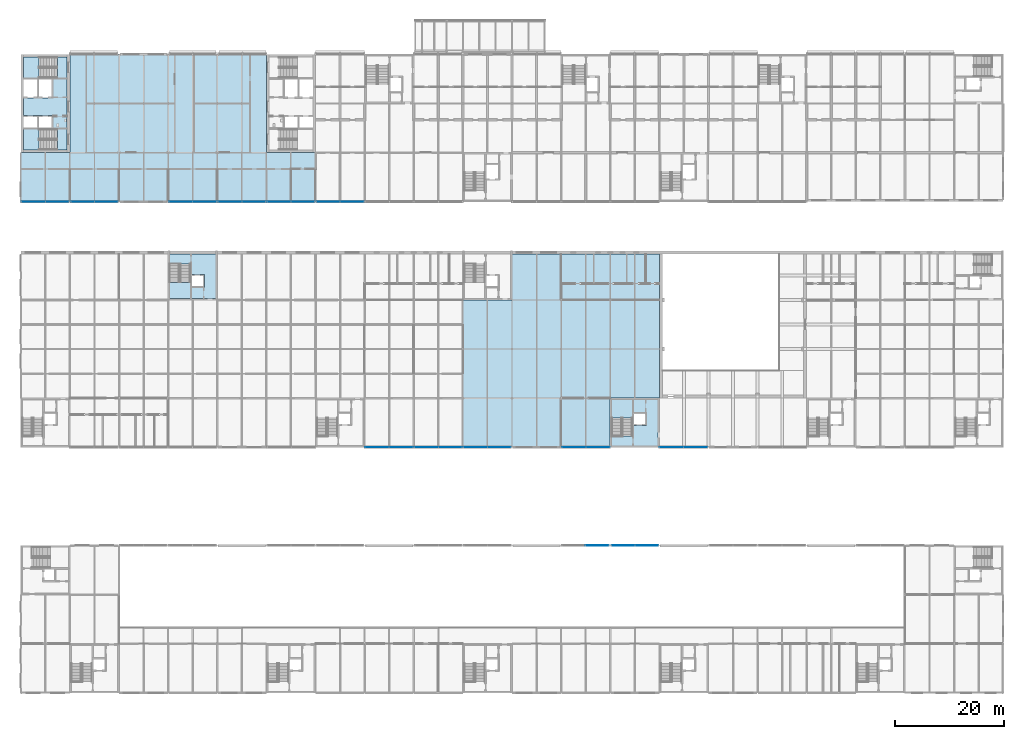
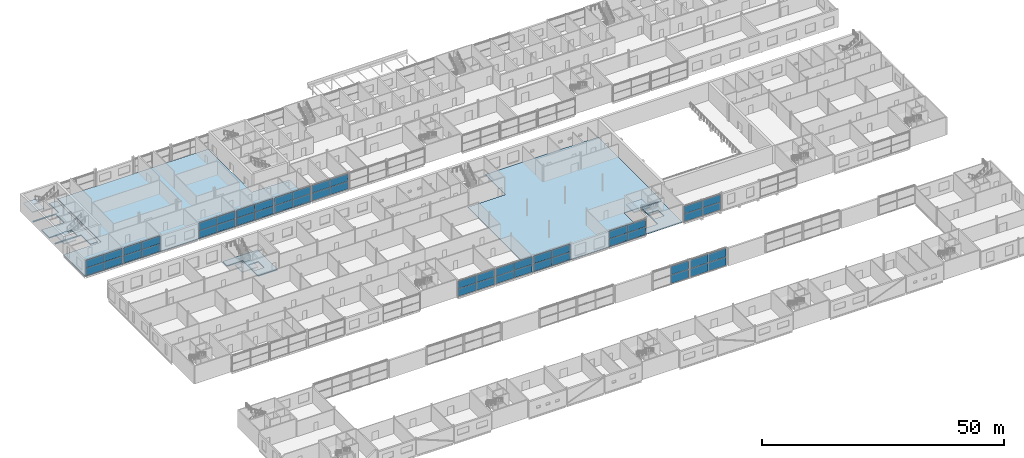
# One storey, part 61 of 97: 50 plates, 9 slabs, 17 elements without a shape of their own.
"""IFC4 building model written with IfcOpenShell, lengths in metres."""

from ifc_helpers import new_model, si_unit, direction, frame, origin, origin_2d, place, context, subcontext, project, spatial, polyline, rectangle, outline, extrude, material, layer, layer_set, type_object, element, aggregate, save


model = new_model("IFC4")

# Units and contexts
model_context = context("Model", 3, precision=1e-05, world=origin(), true_north=direction((0.0, 1.0)))
body_context = subcontext(model_context, "Body", "Model", "MODEL_VIEW")
ifc_project = project(units=[si_unit("LENGTHUNIT", "METRE"), si_unit("AREAUNIT", "SQUARE_METRE"), si_unit("VOLUMEUNIT", "CUBIC_METRE"), si_unit("PLANEANGLEUNIT", "RADIAN"), si_unit("MASSUNIT", "GRAM", prefix="KILO")], contexts=[model_context])

# Site, building, storey
site_placement = place(None, origin())
site = spatial("IfcSite", under=ifc_project, at=site_placement, CompositionType="ELEMENT")
building_placement = place(site_placement, origin())
building = spatial("IfcBuilding", under=site, at=building_placement, Name="Corbel Yard City Hall", CompositionType="ELEMENT")
storey_placement = place(building_placement, frame((0.0, 0.0, 6.0)))
storey = spatial("IfcBuildingStorey", under=building, at=storey_placement, Name="L01", CompositionType="ELEMENT", Elevation=6.0)

# Slabs
ifc_material_1 = material(Name="Concrete N40 (40 MPa)", Category="concrete")
ifc_layer_1 = layer(ifc_material_1, 0.25)
ifc_layer_set_1 = layer_set([ifc_layer_1], Name="Concrete N40 (40 MPa)")
slab_type_1 = type_object("IfcSlabType", Name="CF1", PredefinedType="FLOOR", material=ifc_layer_set_1)
slab_1_placement = place(storey_placement, frame((0.0, 0.0, -0.25)))
element("IfcSlab", 1, at=slab_1_placement, inside=storey, type_object=slab_type_1, Name="Core floor slab", PredefinedType="FLOOR", context=body_context, shape_type="SweptSolid", body=[
    extrude(outline(polyline([(27.25, 80.39990234375), (27.25, 78.59912109375), (31.050048828125, 78.59912109375), (31.050048828125, 72.25), (35.75, 72.25), (35.75, 80.39990234375), (27.25, 80.39990234375)]), holes=[polyline([(33.64990234375, 74.25), (33.64990234375, 76.64990234375), (31.300048828125, 76.64990234375), (31.300048828125, 74.25), (33.64990234375, 74.25)])]), origin(), (0.0, 0.0, 1.0), 0.25),
])
slab_2_placement = place(storey_placement, frame((0.0, 0.0, -0.25)))
element("IfcSlab", 2, at=slab_2_placement, inside=storey, type_object=slab_type_1, Name="Core floor slab", PredefinedType="FLOOR", context=body_context, shape_type="SweptSolid", body=[
    extrude(outline(polyline([(116.75, 53.75), (112.050048828125, 53.75), (112.050048828125, 47.051025390625), (108.25, 47.051025390625), (108.25, 45.25), (116.75, 45.25), (116.75, 53.75)]), holes=[polyline([(114.64990234375, 49.0), (114.64990234375, 51.39990234375), (112.300048828125, 51.39990234375), (112.300048828125, 49.0), (114.64990234375, 49.0)])]), origin(), (0.0, 0.0, 1.0), 0.25),
])
slab_3_placement = place(storey_placement, frame((0.0, 0.0, -0.25)))
element("IfcSlab", 3, at=slab_3_placement, inside=storey, type_object=slab_type_1, Name="Core floor slab", PredefinedType="FLOOR", context=body_context, shape_type="SweptSolid", body=[
    extrude(outline(polyline([(8.5, 116.5), (6.698974609375, 116.5), (6.698974609375, 112.699951171875), (0.5, 112.699951171875), (0.5, 112.449951171875), (5.89990234375, 112.449951171875), (5.89990234375, 109.0), (0.5, 109.0), (0.5, 105.800048828125), (5.89990234375, 105.800048828125), (5.89990234375, 103.550048828125), (0.5, 103.550048828125), (0.5, 103.300048828125), (6.698974609375, 103.300048828125), (6.698974609375, 99.5), (8.5, 99.5), (8.5, 116.5)])), origin(), (0.0, 0.0, 1.0), 0.25),
])
ifc_layer_2 = layer(ifc_material_1, 0.14990234375)
ifc_layer_set_2 = layer_set([ifc_layer_2], Name="Concrete N40 (40 MPa)")
slab_type_2 = type_object("IfcSlabType", Name="Floor slab 150", PredefinedType="FLOOR", material=ifc_layer_set_2)
slab_4_placement = place(storey_placement, frame((0.0, 0.0, -0.14990234375)))
element("IfcSlab", 4, at=slab_4_placement, inside=storey, type_object=slab_type_2, Name="Floor slab Civic Foyer", PredefinedType="FLOOR", context=body_context, shape_type="SweptSolid", body=[
    extrude(outline(polyline([(90.0, 80.39990234375), (90.0, 72.0), (81.0, 72.0), (81.0, 45.0), (108.0, 45.0), (108.0, 54.0), (117.0, 54.0), (117.0, 80.39990234375), (90.0, 80.39990234375)])), origin(), (0.0, 0.0, 1.0), 0.14990234375),
])
slab_5_placement = place(storey_placement, frame((0.0, 0.0, -0.14990234375)))
element("IfcSlab", 5, at=slab_5_placement, inside=storey, type_object=slab_type_2, Name="Floor slab Tower base", PredefinedType="FLOOR", context=body_context, shape_type="SweptSolid", body=[
    extrude(outline(polyline([(54.0, 90.0), (54.0, 99.0), (45.0, 99.0), (45.0, 117.0), (9.0, 117.0), (9.0, 99.0), (0.0, 99.0), (0.0, 90.0), (54.0, 90.0)])), origin(), (0.0, 0.0, 1.0), 0.14990234375),
])

# Stair, slab
stair_type = type_object("IfcStairType", Name="ST1", PredefinedType="HALF_TURN_STAIR", material=ifc_material_1)
stair_1_placement = place(storey_placement, origin())
stair_1 = element("IfcStair", 6, at=stair_1_placement, inside=storey, type_object=stair_type, Name="Exit stair L01", PredefinedType="HALF_TURN_STAIR")
ifc_layer_3 = layer(ifc_material_1, 0.199951171875)
ifc_layer_set_3 = layer_set([ifc_layer_3], Name="Concrete N40 (40 MPa)")
slab_type_3 = type_object("IfcSlabType", Name="LN1", PredefinedType="LANDING", material=ifc_layer_set_3)
slab_6_placement = place(storey_placement, frame((0.0, 0.0, 2.050048828125)))
slab_6 = element("IfcSlab", 7, at=slab_6_placement, type_object=slab_type_3, Name="PS10 landing 1", PredefinedType="LANDING", context=body_context, shape_type="SweptSolid", body=[
    extrude(outline(polyline([(108.25, 50.409912109375), (112.050048828125, 50.409912109375), (112.050048828125, 53.75), (108.25, 53.75), (108.25, 50.409912109375)])), origin(), (0.0, 0.0, 1.0), 0.199951171875),
])
aggregate(stair_1, [slab_6])

stair_2_placement = place(storey_placement, origin())
stair_2 = element("IfcStair", 8, at=stair_2_placement, inside=storey, type_object=stair_type, Name="Exit stair L01", PredefinedType="HALF_TURN_STAIR")
slab_7_placement = place(storey_placement, frame((0.0, 0.0, 2.050048828125)))
slab_7 = element("IfcSlab", 9, at=slab_7_placement, type_object=slab_type_3, Name="PS13 landing 1", PredefinedType="LANDING", context=body_context, shape_type="SweptSolid", body=[
    extrude(outline(polyline([(27.25, 72.25), (31.050048828125, 72.25), (31.050048828125, 75.239990234375), (27.25, 75.239990234375), (27.25, 72.25)])), origin(), (0.0, 0.0, 1.0), 0.199951171875),
])
aggregate(stair_2, [slab_7])

stair_3_placement = place(storey_placement, origin())
stair_3 = element("IfcStair", 10, at=stair_3_placement, inside=storey, type_object=stair_type, Name="Exit stair ST-W1 L01", PredefinedType="HALF_TURN_STAIR")
slab_8_placement = place(storey_placement, frame((0.0, 0.0, 2.050048828125)))
slab_8 = element("IfcSlab", 11, at=slab_8_placement, type_object=slab_type_3, Name="ST-W1 landing 1", PredefinedType="LANDING", context=body_context, shape_type="SweptSolid", body=[
    extrude(outline(polyline([(0.5, 99.5), (3.340087890625, 99.5), (3.340087890625, 103.300048828125), (0.5, 103.300048828125), (0.5, 99.5)])), origin(), (0.0, 0.0, 1.0), 0.199951171875),
])
aggregate(stair_3, [slab_8])

stair_4_placement = place(storey_placement, origin())
stair_4 = element("IfcStair", 12, at=stair_4_placement, inside=storey, type_object=stair_type, Name="Exit stair ST-W2 L01", PredefinedType="HALF_TURN_STAIR")
slab_9_placement = place(storey_placement, frame((0.0, 0.0, 2.050048828125)))
slab_9 = element("IfcSlab", 13, at=slab_9_placement, type_object=slab_type_3, Name="ST-W2 landing 1", PredefinedType="LANDING", context=body_context, shape_type="SweptSolid", body=[
    extrude(outline(polyline([(0.5, 112.699951171875), (3.340087890625, 112.699951171875), (3.340087890625, 116.5), (0.5, 116.5), (0.5, 112.699951171875)])), origin(), (0.0, 0.0, 1.0), 0.199951171875),
])
aggregate(stair_4, [slab_9])

# Curtain wall, plates
ifc_material_2 = material(Name="Aluminium extrusion", Category="aluminium")
ifc_layer_4 = layer(ifc_material_2, 0.199951171875)
ifc_layer_set_4 = layer_set([ifc_layer_4], Name="Aluminium extrusion")
curtain_wall_type_1 = type_object("IfcCurtainWallType", Name="CW1", PredefinedType="USERDEFINED", material=ifc_layer_set_4)
curtain_wall_1_placement = place(storey_placement, origin())
curtain_wall_1 = element("IfcCurtainWall", 14, at=curtain_wall_1_placement, inside=storey, type_object=curtain_wall_type_1, Name="Curtain wall CW1 L01", ObjectType="CURTAIN WALL", PredefinedType="USERDEFINED")
ifc_material_3 = material(Name="Laminated glass", Category="glass")
ifc_layer_5 = layer(ifc_material_3, 0.035888671875)
ifc_layer_set_5 = layer_set([ifc_layer_5], Name="Laminated glass")
plate_type_1 = type_object("IfcPlateType", Name="PN1", PredefinedType="CURTAIN_PANEL", material=ifc_layer_set_5)
plate_1_placement = place(storey_placement, frame((65.233642578125, 45.0, 0.06494140625), z_axis=(0.0, 0.0, 1.0), x_axis=(1.0, 0.0, 0.0)))
plate_1 = element("IfcPlate", 15, at=plate_1_placement, type_object=plate_type_1, Name="CW1 panel 1.1", PredefinedType="CURTAIN_PANEL", context=body_context, shape_type="SweptSolid", body=[
    extrude(rectangle(XDim=4.33740234375, YDim=0.035888671875, at=origin_2d()), origin(), (0.0, 0.0, 1.0), 1.89794921875),
])
plate_2_placement = place(storey_placement, frame((65.233642578125, 45.0, 2.028076171875), z_axis=(0.0, 0.0, 1.0), x_axis=(1.0, 0.0, 0.0)))
plate_2 = element("IfcPlate", 16, at=plate_2_placement, type_object=plate_type_1, Name="CW1 panel 1.2", PredefinedType="CURTAIN_PANEL", context=body_context, shape_type="SweptSolid", body=[
    extrude(rectangle(XDim=4.33740234375, YDim=0.035888671875, at=origin_2d()), origin(), (0.0, 0.0, 1.0), 1.89794921875),
])
plate_3_placement = place(storey_placement, frame((69.63623046875, 45.0, 0.06494140625), z_axis=(0.0, 0.0, 1.0), x_axis=(1.0, 0.0, 0.0)))
plate_3 = element("IfcPlate", 17, at=plate_3_placement, type_object=plate_type_1, Name="CW1 panel 2.1", PredefinedType="CURTAIN_PANEL", context=body_context, shape_type="SweptSolid", body=[
    extrude(rectangle(XDim=4.33740234375, YDim=0.035888671875, at=origin_2d()), origin(), (0.0, 0.0, 1.0), 1.89794921875),
])
plate_4_placement = place(storey_placement, frame((69.63623046875, 45.0, 2.028076171875), z_axis=(0.0, 0.0, 1.0), x_axis=(1.0, 0.0, 0.0)))
plate_4 = element("IfcPlate", 18, at=plate_4_placement, type_object=plate_type_1, Name="CW1 panel 2.2", PredefinedType="CURTAIN_PANEL", context=body_context, shape_type="SweptSolid", body=[
    extrude(rectangle(XDim=4.33740234375, YDim=0.035888671875, at=origin_2d()), origin(), (0.0, 0.0, 1.0), 1.89794921875),
])
aggregate(curtain_wall_1, [plate_1, plate_2, plate_3, plate_4])

curtain_wall_2_placement = place(storey_placement, origin())
curtain_wall_2 = element("IfcCurtainWall", 19, at=curtain_wall_2_placement, inside=storey, type_object=curtain_wall_type_1, Name="Curtain wall CW1 L01", ObjectType="CURTAIN WALL", PredefinedType="USERDEFINED")
plate_5_placement = place(storey_placement, frame((74.331298828125, 45.0, 0.06494140625), z_axis=(0.0, 0.0, 1.0), x_axis=(1.0, 0.0, 0.0)))
plate_5 = element("IfcPlate", 20, at=plate_5_placement, type_object=plate_type_1, Name="CW1 panel 1.1", PredefinedType="CURTAIN_PANEL", context=body_context, shape_type="SweptSolid", body=[
    extrude(rectangle(XDim=4.2724609375, YDim=0.035888671875, at=origin_2d()), origin(), (0.0, 0.0, 1.0), 1.89794921875),
])
plate_6_placement = place(storey_placement, frame((74.331298828125, 45.0, 2.028076171875), z_axis=(0.0, 0.0, 1.0), x_axis=(1.0, 0.0, 0.0)))
plate_6 = element("IfcPlate", 21, at=plate_6_placement, type_object=plate_type_1, Name="CW1 panel 1.2", PredefinedType="CURTAIN_PANEL", context=body_context, shape_type="SweptSolid", body=[
    extrude(rectangle(XDim=4.2724609375, YDim=0.035888671875, at=origin_2d()), origin(), (0.0, 0.0, 1.0), 1.89794921875),
])
plate_7_placement = place(storey_placement, frame((78.668701171875, 45.0, 0.06494140625), z_axis=(0.0, 0.0, 1.0), x_axis=(1.0, 0.0, 0.0)))
plate_7 = element("IfcPlate", 22, at=plate_7_placement, type_object=plate_type_1, Name="CW1 panel 2.1", PredefinedType="CURTAIN_PANEL", context=body_context, shape_type="SweptSolid", body=[
    extrude(rectangle(XDim=4.2724609375, YDim=0.035888671875, at=origin_2d()), origin(), (0.0, 0.0, 1.0), 1.89794921875),
])
plate_8_placement = place(storey_placement, frame((78.668701171875, 45.0, 2.028076171875), z_axis=(0.0, 0.0, 1.0), x_axis=(1.0, 0.0, 0.0)))
plate_8 = element("IfcPlate", 23, at=plate_8_placement, type_object=plate_type_1, Name="CW1 panel 2.2", PredefinedType="CURTAIN_PANEL", context=body_context, shape_type="SweptSolid", body=[
    extrude(rectangle(XDim=4.2724609375, YDim=0.035888671875, at=origin_2d()), origin(), (0.0, 0.0, 1.0), 1.89794921875),
])
aggregate(curtain_wall_2, [plate_5, plate_6, plate_7, plate_8])

curtain_wall_3_placement = place(storey_placement, origin())
curtain_wall_3 = element("IfcCurtainWall", 24, at=curtain_wall_3_placement, inside=storey, type_object=curtain_wall_type_1, Name="Curtain wall CW1 L01", ObjectType="CURTAIN WALL", PredefinedType="USERDEFINED")
plate_9_placement = place(storey_placement, frame((83.331298828125, 45.0, 0.06494140625), z_axis=(0.0, 0.0, 1.0), x_axis=(1.0, 0.0, 0.0)))
plate_9 = element("IfcPlate", 25, at=plate_9_placement, type_object=plate_type_1, Name="CW1 panel 1.1", PredefinedType="CURTAIN_PANEL", context=body_context, shape_type="SweptSolid", body=[
    extrude(rectangle(XDim=4.2724609375, YDim=0.035888671875, at=origin_2d()), origin(), (0.0, 0.0, 1.0), 1.89794921875),
])
plate_10_placement = place(storey_placement, frame((83.331298828125, 45.0, 2.028076171875), z_axis=(0.0, 0.0, 1.0), x_axis=(1.0, 0.0, 0.0)))
plate_10 = element("IfcPlate", 26, at=plate_10_placement, type_object=plate_type_1, Name="CW1 panel 1.2", PredefinedType="CURTAIN_PANEL", context=body_context, shape_type="SweptSolid", body=[
    extrude(rectangle(XDim=4.2724609375, YDim=0.035888671875, at=origin_2d()), origin(), (0.0, 0.0, 1.0), 1.89794921875),
])
plate_11_placement = place(storey_placement, frame((87.668701171875, 45.0, 0.06494140625), z_axis=(0.0, 0.0, 1.0), x_axis=(1.0, 0.0, 0.0)))
plate_11 = element("IfcPlate", 27, at=plate_11_placement, type_object=plate_type_1, Name="CW1 panel 2.1", PredefinedType="CURTAIN_PANEL", context=body_context, shape_type="SweptSolid", body=[
    extrude(rectangle(XDim=4.2724609375, YDim=0.035888671875, at=origin_2d()), origin(), (0.0, 0.0, 1.0), 1.89794921875),
])
plate_12_placement = place(storey_placement, frame((87.668701171875, 45.0, 2.028076171875), z_axis=(0.0, 0.0, 1.0), x_axis=(1.0, 0.0, 0.0)))
plate_12 = element("IfcPlate", 28, at=plate_12_placement, type_object=plate_type_1, Name="CW1 panel 2.2", PredefinedType="CURTAIN_PANEL", context=body_context, shape_type="SweptSolid", body=[
    extrude(rectangle(XDim=4.2724609375, YDim=0.035888671875, at=origin_2d()), origin(), (0.0, 0.0, 1.0), 1.89794921875),
])
aggregate(curtain_wall_3, [plate_9, plate_10, plate_11, plate_12])

curtain_wall_4_placement = place(storey_placement, origin())
curtain_wall_4 = element("IfcCurtainWall", 29, at=curtain_wall_4_placement, inside=storey, type_object=curtain_wall_type_1, Name="Curtain wall CW1 L01", ObjectType="CURTAIN WALL", PredefinedType="USERDEFINED")
plate_13_placement = place(storey_placement, frame((101.36376953125, 45.0, 0.06494140625), z_axis=(0.0, 0.0, 1.0), x_axis=(1.0, 0.0, 0.0)))
plate_13 = element("IfcPlate", 30, at=plate_13_placement, type_object=plate_type_1, Name="CW1 panel 1.1", PredefinedType="CURTAIN_PANEL", context=body_context, shape_type="SweptSolid", body=[
    extrude(rectangle(XDim=4.33740234375, YDim=0.035888671875, at=origin_2d()), origin(), (0.0, 0.0, 1.0), 1.89794921875),
])
plate_14_placement = place(storey_placement, frame((101.36376953125, 45.0, 2.028076171875), z_axis=(0.0, 0.0, 1.0), x_axis=(1.0, 0.0, 0.0)))
plate_14 = element("IfcPlate", 31, at=plate_14_placement, type_object=plate_type_1, Name="CW1 panel 1.2", PredefinedType="CURTAIN_PANEL", context=body_context, shape_type="SweptSolid", body=[
    extrude(rectangle(XDim=4.33740234375, YDim=0.035888671875, at=origin_2d()), origin(), (0.0, 0.0, 1.0), 1.89794921875),
])
plate_15_placement = place(storey_placement, frame((105.766357421875, 45.0, 0.06494140625), z_axis=(0.0, 0.0, 1.0), x_axis=(1.0, 0.0, 0.0)))
plate_15 = element("IfcPlate", 32, at=plate_15_placement, type_object=plate_type_1, Name="CW1 panel 2.1", PredefinedType="CURTAIN_PANEL", context=body_context, shape_type="SweptSolid", body=[
    extrude(rectangle(XDim=4.33740234375, YDim=0.035888671875, at=origin_2d()), origin(), (0.0, 0.0, 1.0), 1.89794921875),
])
plate_16_placement = place(storey_placement, frame((105.766357421875, 45.0, 2.028076171875), z_axis=(0.0, 0.0, 1.0), x_axis=(1.0, 0.0, 0.0)))
plate_16 = element("IfcPlate", 33, at=plate_16_placement, type_object=plate_type_1, Name="CW1 panel 2.2", PredefinedType="CURTAIN_PANEL", context=body_context, shape_type="SweptSolid", body=[
    extrude(rectangle(XDim=4.33740234375, YDim=0.035888671875, at=origin_2d()), origin(), (0.0, 0.0, 1.0), 1.89794921875),
])
aggregate(curtain_wall_4, [plate_13, plate_14, plate_15, plate_16])

curtain_wall_5_placement = place(storey_placement, origin())
curtain_wall_5 = element("IfcCurtainWall", 34, at=curtain_wall_5_placement, inside=storey, type_object=curtain_wall_type_1, Name="Curtain wall CW1 L01", ObjectType="CURTAIN WALL", PredefinedType="USERDEFINED")
plate_17_placement = place(storey_placement, frame((2.331298828125, 90.0, 0.06494140625), z_axis=(0.0, 0.0, 1.0), x_axis=(1.0, 0.0, 0.0)))
plate_17 = element("IfcPlate", 35, at=plate_17_placement, type_object=plate_type_1, Name="CW1 panel 1.1", PredefinedType="CURTAIN_PANEL", context=body_context, shape_type="SweptSolid", body=[
    extrude(rectangle(XDim=4.2724609375, YDim=0.035888671875, at=origin_2d()), origin(), (0.0, 0.0, 1.0), 1.89794921875),
])
plate_18_placement = place(storey_placement, frame((2.331298828125, 90.0, 2.028076171875), z_axis=(0.0, 0.0, 1.0), x_axis=(1.0, 0.0, 0.0)))
plate_18 = element("IfcPlate", 36, at=plate_18_placement, type_object=plate_type_1, Name="CW1 panel 1.2", PredefinedType="CURTAIN_PANEL", context=body_context, shape_type="SweptSolid", body=[
    extrude(rectangle(XDim=4.2724609375, YDim=0.035888671875, at=origin_2d()), origin(), (0.0, 0.0, 1.0), 1.89794921875),
])
plate_19_placement = place(storey_placement, frame((6.668701171875, 90.0, 0.06494140625), z_axis=(0.0, 0.0, 1.0), x_axis=(1.0, 0.0, 0.0)))
plate_19 = element("IfcPlate", 37, at=plate_19_placement, type_object=plate_type_1, Name="CW1 panel 2.1", PredefinedType="CURTAIN_PANEL", context=body_context, shape_type="SweptSolid", body=[
    extrude(rectangle(XDim=4.2724609375, YDim=0.035888671875, at=origin_2d()), origin(), (0.0, 0.0, 1.0), 1.89794921875),
])
plate_20_placement = place(storey_placement, frame((6.668701171875, 90.0, 2.028076171875), z_axis=(0.0, 0.0, 1.0), x_axis=(1.0, 0.0, 0.0)))
plate_20 = element("IfcPlate", 38, at=plate_20_placement, type_object=plate_type_1, Name="CW1 panel 2.2", PredefinedType="CURTAIN_PANEL", context=body_context, shape_type="SweptSolid", body=[
    extrude(rectangle(XDim=4.2724609375, YDim=0.035888671875, at=origin_2d()), origin(), (0.0, 0.0, 1.0), 1.89794921875),
])
aggregate(curtain_wall_5, [plate_17, plate_18, plate_19, plate_20])

curtain_wall_6_placement = place(storey_placement, origin())
curtain_wall_6 = element("IfcCurtainWall", 39, at=curtain_wall_6_placement, inside=storey, type_object=curtain_wall_type_1, Name="Curtain wall CW1 L01", ObjectType="CURTAIN WALL", PredefinedType="USERDEFINED")
plate_21_placement = place(storey_placement, frame((11.331298828125, 90.0, 0.06494140625), z_axis=(0.0, 0.0, 1.0), x_axis=(1.0, 0.0, 0.0)))
plate_21 = element("IfcPlate", 40, at=plate_21_placement, type_object=plate_type_1, Name="CW1 panel 1.1", PredefinedType="CURTAIN_PANEL", context=body_context, shape_type="SweptSolid", body=[
    extrude(rectangle(XDim=4.2724609375, YDim=0.035888671875, at=origin_2d()), origin(), (0.0, 0.0, 1.0), 1.89794921875),
])
plate_22_placement = place(storey_placement, frame((11.331298828125, 90.0, 2.028076171875), z_axis=(0.0, 0.0, 1.0), x_axis=(1.0, 0.0, 0.0)))
plate_22 = element("IfcPlate", 41, at=plate_22_placement, type_object=plate_type_1, Name="CW1 panel 1.2", PredefinedType="CURTAIN_PANEL", context=body_context, shape_type="SweptSolid", body=[
    extrude(rectangle(XDim=4.2724609375, YDim=0.035888671875, at=origin_2d()), origin(), (0.0, 0.0, 1.0), 1.89794921875),
])
plate_23_placement = place(storey_placement, frame((15.668701171875, 90.0, 0.06494140625), z_axis=(0.0, 0.0, 1.0), x_axis=(1.0, 0.0, 0.0)))
plate_23 = element("IfcPlate", 42, at=plate_23_placement, type_object=plate_type_1, Name="CW1 panel 2.1", PredefinedType="CURTAIN_PANEL", context=body_context, shape_type="SweptSolid", body=[
    extrude(rectangle(XDim=4.2724609375, YDim=0.035888671875, at=origin_2d()), origin(), (0.0, 0.0, 1.0), 1.89794921875),
])
plate_24_placement = place(storey_placement, frame((15.668701171875, 90.0, 2.028076171875), z_axis=(0.0, 0.0, 1.0), x_axis=(1.0, 0.0, 0.0)))
plate_24 = element("IfcPlate", 43, at=plate_24_placement, type_object=plate_type_1, Name="CW1 panel 2.2", PredefinedType="CURTAIN_PANEL", context=body_context, shape_type="SweptSolid", body=[
    extrude(rectangle(XDim=4.2724609375, YDim=0.035888671875, at=origin_2d()), origin(), (0.0, 0.0, 1.0), 1.89794921875),
])
aggregate(curtain_wall_6, [plate_21, plate_22, plate_23, plate_24])

curtain_wall_7_placement = place(storey_placement, origin())
curtain_wall_7 = element("IfcCurtainWall", 44, at=curtain_wall_7_placement, inside=storey, type_object=curtain_wall_type_1, Name="Curtain wall CW1 L01", ObjectType="CURTAIN WALL", PredefinedType="USERDEFINED")
plate_25_placement = place(storey_placement, frame((29.331298828125, 90.0, 0.06494140625), z_axis=(0.0, 0.0, 1.0), x_axis=(1.0, 0.0, 0.0)))
plate_25 = element("IfcPlate", 45, at=plate_25_placement, type_object=plate_type_1, Name="CW1 panel 1.1", PredefinedType="CURTAIN_PANEL", context=body_context, shape_type="SweptSolid", body=[
    extrude(rectangle(XDim=4.2724609375, YDim=0.035888671875, at=origin_2d()), origin(), (0.0, 0.0, 1.0), 1.89794921875),
])
plate_26_placement = place(storey_placement, frame((29.331298828125, 90.0, 2.028076171875), z_axis=(0.0, 0.0, 1.0), x_axis=(1.0, 0.0, 0.0)))
plate_26 = element("IfcPlate", 46, at=plate_26_placement, type_object=plate_type_1, Name="CW1 panel 1.2", PredefinedType="CURTAIN_PANEL", context=body_context, shape_type="SweptSolid", body=[
    extrude(rectangle(XDim=4.2724609375, YDim=0.035888671875, at=origin_2d()), origin(), (0.0, 0.0, 1.0), 1.89794921875),
])
plate_27_placement = place(storey_placement, frame((33.668701171875, 90.0, 0.06494140625), z_axis=(0.0, 0.0, 1.0), x_axis=(1.0, 0.0, 0.0)))
plate_27 = element("IfcPlate", 47, at=plate_27_placement, type_object=plate_type_1, Name="CW1 panel 2.1", PredefinedType="CURTAIN_PANEL", context=body_context, shape_type="SweptSolid", body=[
    extrude(rectangle(XDim=4.2724609375, YDim=0.035888671875, at=origin_2d()), origin(), (0.0, 0.0, 1.0), 1.89794921875),
])
plate_28_placement = place(storey_placement, frame((33.668701171875, 90.0, 2.028076171875), z_axis=(0.0, 0.0, 1.0), x_axis=(1.0, 0.0, 0.0)))
plate_28 = element("IfcPlate", 48, at=plate_28_placement, type_object=plate_type_1, Name="CW1 panel 2.2", PredefinedType="CURTAIN_PANEL", context=body_context, shape_type="SweptSolid", body=[
    extrude(rectangle(XDim=4.2724609375, YDim=0.035888671875, at=origin_2d()), origin(), (0.0, 0.0, 1.0), 1.89794921875),
])
aggregate(curtain_wall_7, [plate_25, plate_26, plate_27, plate_28])

curtain_wall_8_placement = place(storey_placement, origin())
curtain_wall_8 = element("IfcCurtainWall", 49, at=curtain_wall_8_placement, inside=storey, type_object=curtain_wall_type_1, Name="Curtain wall CW1 L01", ObjectType="CURTAIN WALL", PredefinedType="USERDEFINED")
plate_29_placement = place(storey_placement, frame((38.331298828125, 90.0, 0.06494140625), z_axis=(0.0, 0.0, 1.0), x_axis=(1.0, 0.0, 0.0)))
plate_29 = element("IfcPlate", 50, at=plate_29_placement, type_object=plate_type_1, Name="CW1 panel 1.1", PredefinedType="CURTAIN_PANEL", context=body_context, shape_type="SweptSolid", body=[
    extrude(rectangle(XDim=4.2724609375, YDim=0.035888671875, at=origin_2d()), origin(), (0.0, 0.0, 1.0), 1.89794921875),
])
plate_30_placement = place(storey_placement, frame((38.331298828125, 90.0, 2.028076171875), z_axis=(0.0, 0.0, 1.0), x_axis=(1.0, 0.0, 0.0)))
plate_30 = element("IfcPlate", 51, at=plate_30_placement, type_object=plate_type_1, Name="CW1 panel 1.2", PredefinedType="CURTAIN_PANEL", context=body_context, shape_type="SweptSolid", body=[
    extrude(rectangle(XDim=4.2724609375, YDim=0.035888671875, at=origin_2d()), origin(), (0.0, 0.0, 1.0), 1.89794921875),
])
plate_31_placement = place(storey_placement, frame((42.668701171875, 90.0, 0.06494140625), z_axis=(0.0, 0.0, 1.0), x_axis=(1.0, 0.0, 0.0)))
plate_31 = element("IfcPlate", 52, at=plate_31_placement, type_object=plate_type_1, Name="CW1 panel 2.1", PredefinedType="CURTAIN_PANEL", context=body_context, shape_type="SweptSolid", body=[
    extrude(rectangle(XDim=4.2724609375, YDim=0.035888671875, at=origin_2d()), origin(), (0.0, 0.0, 1.0), 1.89794921875),
])
plate_32_placement = place(storey_placement, frame((42.668701171875, 90.0, 2.028076171875), z_axis=(0.0, 0.0, 1.0), x_axis=(1.0, 0.0, 0.0)))
plate_32 = element("IfcPlate", 53, at=plate_32_placement, type_object=plate_type_1, Name="CW1 panel 2.2", PredefinedType="CURTAIN_PANEL", context=body_context, shape_type="SweptSolid", body=[
    extrude(rectangle(XDim=4.2724609375, YDim=0.035888671875, at=origin_2d()), origin(), (0.0, 0.0, 1.0), 1.89794921875),
])
aggregate(curtain_wall_8, [plate_29, plate_30, plate_31, plate_32])

curtain_wall_9_placement = place(storey_placement, origin())
curtain_wall_9 = element("IfcCurtainWall", 54, at=curtain_wall_9_placement, inside=storey, type_object=curtain_wall_type_1, Name="Curtain wall CW1 L01", ObjectType="CURTAIN WALL", PredefinedType="USERDEFINED")
plate_33_placement = place(storey_placement, frame((47.331298828125, 90.0, 0.06494140625), z_axis=(0.0, 0.0, 1.0), x_axis=(1.0, 0.0, 0.0)))
plate_33 = element("IfcPlate", 55, at=plate_33_placement, type_object=plate_type_1, Name="CW1 panel 1.1", PredefinedType="CURTAIN_PANEL", context=body_context, shape_type="SweptSolid", body=[
    extrude(rectangle(XDim=4.2724609375, YDim=0.035888671875, at=origin_2d()), origin(), (0.0, 0.0, 1.0), 1.89794921875),
])
plate_34_placement = place(storey_placement, frame((47.331298828125, 90.0, 2.028076171875), z_axis=(0.0, 0.0, 1.0), x_axis=(1.0, 0.0, 0.0)))
plate_34 = element("IfcPlate", 56, at=plate_34_placement, type_object=plate_type_1, Name="CW1 panel 1.2", PredefinedType="CURTAIN_PANEL", context=body_context, shape_type="SweptSolid", body=[
    extrude(rectangle(XDim=4.2724609375, YDim=0.035888671875, at=origin_2d()), origin(), (0.0, 0.0, 1.0), 1.89794921875),
])
plate_35_placement = place(storey_placement, frame((51.668701171875, 90.0, 0.06494140625), z_axis=(0.0, 0.0, 1.0), x_axis=(1.0, 0.0, 0.0)))
plate_35 = element("IfcPlate", 57, at=plate_35_placement, type_object=plate_type_1, Name="CW1 panel 2.1", PredefinedType="CURTAIN_PANEL", context=body_context, shape_type="SweptSolid", body=[
    extrude(rectangle(XDim=4.2724609375, YDim=0.035888671875, at=origin_2d()), origin(), (0.0, 0.0, 1.0), 1.89794921875),
])
plate_36_placement = place(storey_placement, frame((51.668701171875, 90.0, 2.028076171875), z_axis=(0.0, 0.0, 1.0), x_axis=(1.0, 0.0, 0.0)))
plate_36 = element("IfcPlate", 58, at=plate_36_placement, type_object=plate_type_1, Name="CW1 panel 2.2", PredefinedType="CURTAIN_PANEL", context=body_context, shape_type="SweptSolid", body=[
    extrude(rectangle(XDim=4.2724609375, YDim=0.035888671875, at=origin_2d()), origin(), (0.0, 0.0, 1.0), 1.89794921875),
])
aggregate(curtain_wall_9, [plate_33, plate_34, plate_35, plate_36])

curtain_wall_10_placement = place(storey_placement, origin())
curtain_wall_10 = element("IfcCurtainWall", 59, at=curtain_wall_10_placement, inside=storey, type_object=curtain_wall_type_1, Name="Curtain wall CW1 L01", ObjectType="CURTAIN WALL", PredefinedType="USERDEFINED")
plate_37_placement = place(storey_placement, frame((56.331298828125, 90.0, 0.06494140625), z_axis=(0.0, 0.0, 1.0), x_axis=(1.0, 0.0, 0.0)))
plate_37 = element("IfcPlate", 60, at=plate_37_placement, type_object=plate_type_1, Name="CW1 panel 1.1", PredefinedType="CURTAIN_PANEL", context=body_context, shape_type="SweptSolid", body=[
    extrude(rectangle(XDim=4.2724609375, YDim=0.035888671875, at=origin_2d()), origin(), (0.0, 0.0, 1.0), 1.89794921875),
])
plate_38_placement = place(storey_placement, frame((56.331298828125, 90.0, 2.028076171875), z_axis=(0.0, 0.0, 1.0), x_axis=(1.0, 0.0, 0.0)))
plate_38 = element("IfcPlate", 61, at=plate_38_placement, type_object=plate_type_1, Name="CW1 panel 1.2", PredefinedType="CURTAIN_PANEL", context=body_context, shape_type="SweptSolid", body=[
    extrude(rectangle(XDim=4.2724609375, YDim=0.035888671875, at=origin_2d()), origin(), (0.0, 0.0, 1.0), 1.89794921875),
])
plate_39_placement = place(storey_placement, frame((60.668701171875, 90.0, 0.06494140625), z_axis=(0.0, 0.0, 1.0), x_axis=(1.0, 0.0, 0.0)))
plate_39 = element("IfcPlate", 62, at=plate_39_placement, type_object=plate_type_1, Name="CW1 panel 2.1", PredefinedType="CURTAIN_PANEL", context=body_context, shape_type="SweptSolid", body=[
    extrude(rectangle(XDim=4.2724609375, YDim=0.035888671875, at=origin_2d()), origin(), (0.0, 0.0, 1.0), 1.89794921875),
])
plate_40_placement = place(storey_placement, frame((60.668701171875, 90.0, 2.028076171875), z_axis=(0.0, 0.0, 1.0), x_axis=(1.0, 0.0, 0.0)))
plate_40 = element("IfcPlate", 63, at=plate_40_placement, type_object=plate_type_1, Name="CW1 panel 2.2", PredefinedType="CURTAIN_PANEL", context=body_context, shape_type="SweptSolid", body=[
    extrude(rectangle(XDim=4.2724609375, YDim=0.035888671875, at=origin_2d()), origin(), (0.0, 0.0, 1.0), 1.89794921875),
])
aggregate(curtain_wall_10, [plate_37, plate_38, plate_39, plate_40])

ifc_layer_6 = layer(ifc_material_2, 0.219970703125)
ifc_layer_set_6 = layer_set([ifc_layer_6], Name="Aluminium extrusion")
curtain_wall_type_2 = type_object("IfcCurtainWallType", Name="CW5", PredefinedType="USERDEFINED", material=ifc_layer_set_6)
curtain_wall_11_placement = place(storey_placement, origin())
curtain_wall_11 = element("IfcCurtainWall", 64, at=curtain_wall_11_placement, inside=storey, type_object=curtain_wall_type_2, Name="Curtain wall CW5 L01", ObjectType="CURTAIN WALL", PredefinedType="USERDEFINED")
ifc_material_4 = material(Name="Acoustic laminated glass", Category="glass")
ifc_layer_7 = layer(ifc_material_4, 0.031982421875)
ifc_layer_set_7 = layer_set([ifc_layer_7], Name="Acoustic laminated glass")
plate_type_2 = type_object("IfcPlateType", Name="PN6", PredefinedType="CURTAIN_PANEL", material=ifc_layer_set_7)
plate_41_placement = place(storey_placement, frame((119.233642578125, 45.0, 0.06494140625), z_axis=(0.0, 0.0, 1.0), x_axis=(1.0, 0.0, 0.0)))
plate_41 = element("IfcPlate", 65, at=plate_41_placement, type_object=plate_type_2, Name="CW5 panel 1.1", PredefinedType="CURTAIN_PANEL", context=body_context, shape_type="SweptSolid", body=[
    extrude(rectangle(XDim=4.33740234375, YDim=0.031982421875, at=origin_2d()), origin(), (0.0, 0.0, 1.0), 1.89794921875),
])
plate_42_placement = place(storey_placement, frame((119.233642578125, 45.0, 2.028076171875), z_axis=(0.0, 0.0, 1.0), x_axis=(1.0, 0.0, 0.0)))
plate_42 = element("IfcPlate", 66, at=plate_42_placement, type_object=plate_type_2, Name="CW5 panel 1.2", PredefinedType="CURTAIN_PANEL", context=body_context, shape_type="SweptSolid", body=[
    extrude(rectangle(XDim=4.33740234375, YDim=0.031982421875, at=origin_2d()), origin(), (0.0, 0.0, 1.0), 1.89794921875),
])
plate_43_placement = place(storey_placement, frame((123.63623046875, 45.0, 0.06494140625), z_axis=(0.0, 0.0, 1.0), x_axis=(1.0, 0.0, 0.0)))
plate_43 = element("IfcPlate", 67, at=plate_43_placement, type_object=plate_type_2, Name="CW5 panel 2.1", PredefinedType="CURTAIN_PANEL", context=body_context, shape_type="SweptSolid", body=[
    extrude(rectangle(XDim=4.33740234375, YDim=0.031982421875, at=origin_2d()), origin(), (0.0, 0.0, 1.0), 1.89794921875),
])
plate_44_placement = place(storey_placement, frame((123.63623046875, 45.0, 2.028076171875), z_axis=(0.0, 0.0, 1.0), x_axis=(1.0, 0.0, 0.0)))
plate_44 = element("IfcPlate", 68, at=plate_44_placement, type_object=plate_type_2, Name="CW5 panel 2.2", PredefinedType="CURTAIN_PANEL", context=body_context, shape_type="SweptSolid", body=[
    extrude(rectangle(XDim=4.33740234375, YDim=0.031982421875, at=origin_2d()), origin(), (0.0, 0.0, 1.0), 1.89794921875),
])
aggregate(curtain_wall_11, [plate_41, plate_42, plate_43, plate_44])

ifc_layer_8 = layer(ifc_material_2, 0.300048828125)
ifc_layer_set_8 = layer_set([ifc_layer_8], Name="Aluminium extrusion")
curtain_wall_type_3 = type_object("IfcCurtainWallType", Name="CW7", PredefinedType="USERDEFINED", material=ifc_layer_set_8)
curtain_wall_12_placement = place(storey_placement, origin())
curtain_wall_12 = element("IfcCurtainWall", 69, at=curtain_wall_12_placement, inside=storey, type_object=curtain_wall_type_3, Name="Curtain wall CW7 L01", ObjectType="CURTAIN WALL", PredefinedType="USERDEFINED")
ifc_material_5 = material(Name="Laminated toughened glass, large format", Category="glass")
ifc_layer_9 = layer(ifc_material_5, 0.048095703125)
ifc_layer_set_9 = layer_set([ifc_layer_9], Name="Laminated toughened glass, large format")
plate_type_3 = type_object("IfcPlateType", Name="PN8", PredefinedType="CURTAIN_PANEL", material=ifc_layer_set_9)
plate_45_placement = place(storey_placement, frame((105.6513671875, 27.0, 0.080078125), z_axis=(0.0, 0.0, 1.0), x_axis=(1.0, 0.0, 0.0)))
plate_45 = element("IfcPlate", 70, at=plate_45_placement, type_object=plate_type_3, Name="CW7 panel 2.1", PredefinedType="CURTAIN_PANEL", context=body_context, shape_type="SweptSolid", body=[
    extrude(rectangle(XDim=4.222412109375, YDim=0.048095703125, at=origin_2d()), origin(), (0.0, 0.0, 1.0), 2.1298828125),
])
plate_46_placement = place(storey_placement, frame((105.6513671875, 27.0, 2.2900390625), z_axis=(0.0, 0.0, 1.0), x_axis=(1.0, 0.0, 0.0)))
plate_46 = element("IfcPlate", 71, at=plate_46_placement, type_object=plate_type_3, Name="CW7 panel 2.2", PredefinedType="CURTAIN_PANEL", context=body_context, shape_type="SweptSolid", body=[
    extrude(rectangle(XDim=4.222412109375, YDim=0.048095703125, at=origin_2d()), origin(), (0.0, 0.0, 1.0), 2.1298828125),
])
aggregate(curtain_wall_12, [plate_45, plate_46])

curtain_wall_13_placement = place(storey_placement, origin())
curtain_wall_13 = element("IfcCurtainWall", 72, at=curtain_wall_13_placement, inside=storey, type_object=curtain_wall_type_3, Name="Curtain wall CW7 L01", ObjectType="CURTAIN WALL", PredefinedType="USERDEFINED")
plate_47_placement = place(storey_placement, frame((110.3486328125, 27.0, 0.080078125), z_axis=(0.0, 0.0, 1.0), x_axis=(1.0, 0.0, 0.0)))
plate_47 = element("IfcPlate", 73, at=plate_47_placement, type_object=plate_type_3, Name="CW7 panel 1.1", PredefinedType="CURTAIN_PANEL", context=body_context, shape_type="SweptSolid", body=[
    extrude(rectangle(XDim=4.222412109375, YDim=0.048095703125, at=origin_2d()), origin(), (0.0, 0.0, 1.0), 2.1298828125),
])
plate_48_placement = place(storey_placement, frame((110.3486328125, 27.0, 2.2900390625), z_axis=(0.0, 0.0, 1.0), x_axis=(1.0, 0.0, 0.0)))
plate_48 = element("IfcPlate", 74, at=plate_48_placement, type_object=plate_type_3, Name="CW7 panel 1.2", PredefinedType="CURTAIN_PANEL", context=body_context, shape_type="SweptSolid", body=[
    extrude(rectangle(XDim=4.222412109375, YDim=0.048095703125, at=origin_2d()), origin(), (0.0, 0.0, 1.0), 2.1298828125),
])
plate_49_placement = place(storey_placement, frame((114.6513671875, 27.0, 0.080078125), z_axis=(0.0, 0.0, 1.0), x_axis=(1.0, 0.0, 0.0)))
plate_49 = element("IfcPlate", 75, at=plate_49_placement, type_object=plate_type_3, Name="CW7 panel 2.1", PredefinedType="CURTAIN_PANEL", context=body_context, shape_type="SweptSolid", body=[
    extrude(rectangle(XDim=4.222412109375, YDim=0.048095703125, at=origin_2d()), origin(), (0.0, 0.0, 1.0), 2.1298828125),
])
plate_50_placement = place(storey_placement, frame((114.6513671875, 27.0, 2.2900390625), z_axis=(0.0, 0.0, 1.0), x_axis=(1.0, 0.0, 0.0)))
plate_50 = element("IfcPlate", 76, at=plate_50_placement, type_object=plate_type_3, Name="CW7 panel 2.2", PredefinedType="CURTAIN_PANEL", context=body_context, shape_type="SweptSolid", body=[
    extrude(rectangle(XDim=4.222412109375, YDim=0.048095703125, at=origin_2d()), origin(), (0.0, 0.0, 1.0), 2.1298828125),
])
aggregate(curtain_wall_13, [plate_47, plate_48, plate_49, plate_50])

save(model, "model.ifc")
